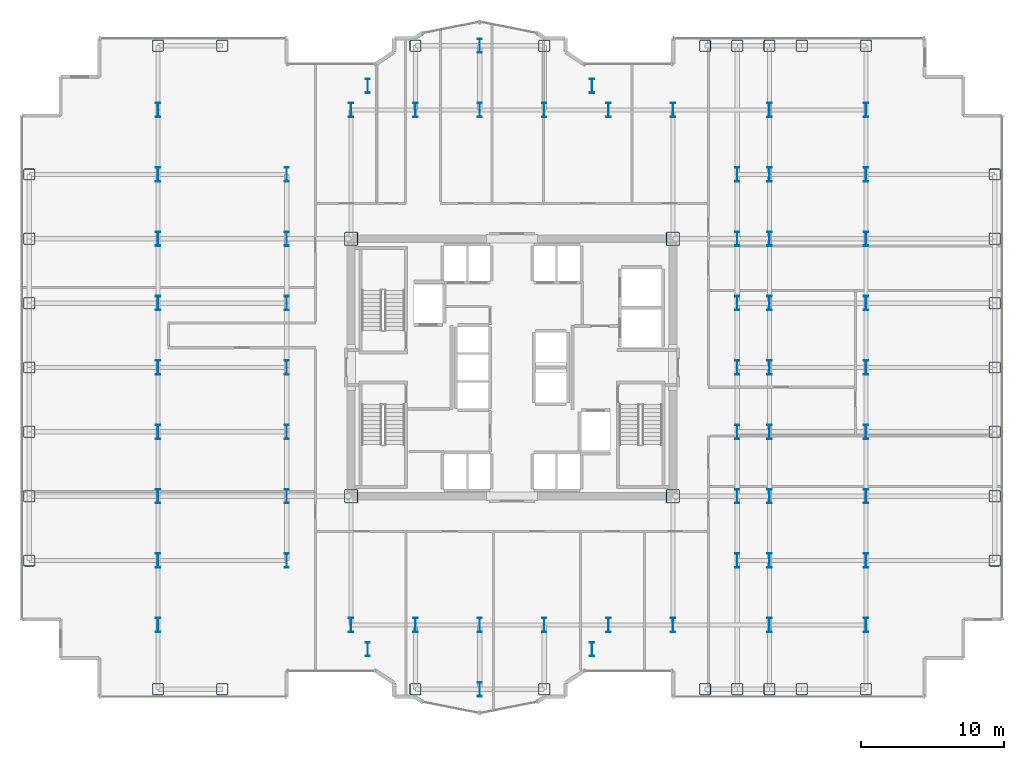
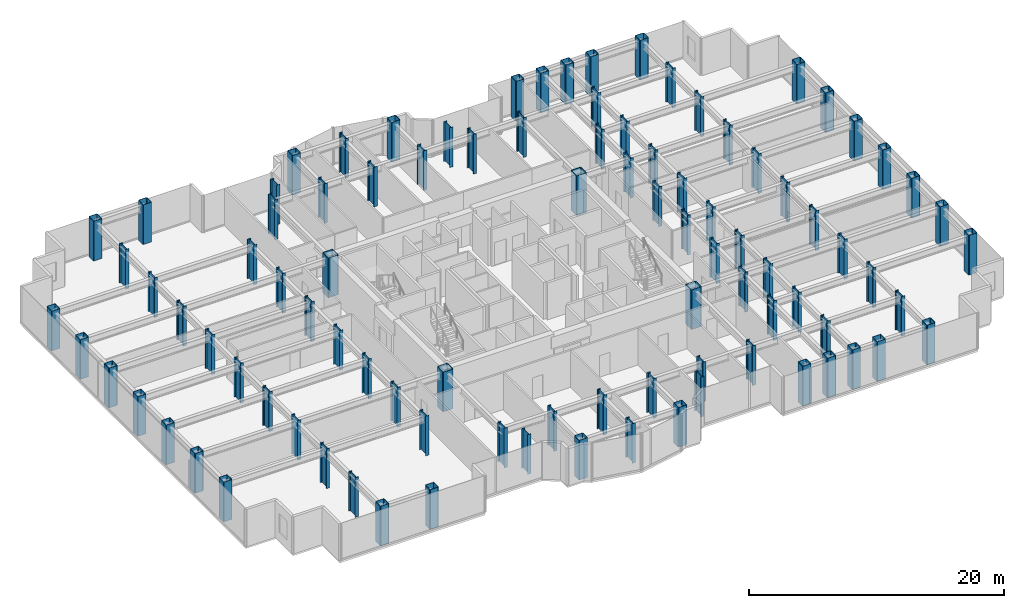
# One storey, part 1 of 26: 95 columns.
"""IFC4 building model written with IfcOpenShell, lengths in metres."""

from ifc_helpers import new_model, si_unit, direction, frame, origin, origin_2d, place, context, subcontext, project, spatial, hollow_rectangle, i_section, extrude, source, transform, mapped, material, material_profile, profile_set, type_object, element, save


model = new_model("IFC4")

# Units and contexts
model_context = context("Model", 3, precision=1e-05, world=origin(), true_north=direction((0.0, 1.0)))
body_context = subcontext(model_context, "Body", "Model", "MODEL_VIEW")
ifc_project = project(units=[si_unit("LENGTHUNIT", "METRE"), si_unit("AREAUNIT", "SQUARE_METRE"), si_unit("VOLUMEUNIT", "CUBIC_METRE"), si_unit("PLANEANGLEUNIT", "RADIAN"), si_unit("MASSUNIT", "GRAM", prefix="KILO")], contexts=[model_context])

# Site, building, storey
site_placement = place(None, origin())
site = spatial("IfcSite", under=ifc_project, at=site_placement, CompositionType="ELEMENT")
building_placement = place(site_placement, origin())
building = spatial("IfcBuilding", under=site, at=building_placement, Name="Nefas-Gora Pilgrimage Tower", CompositionType="ELEMENT")
storey_placement = place(building_placement, frame((0.0, 0.0, 132.60009765625)))
storey = spatial("IfcBuildingStorey", under=building, at=storey_placement, Name="L32", CompositionType="ELEMENT", Elevation=132.60009765625)

# Columns
ifc_material = material(Name="Steel S460", Category="steel")
ifc_material_profile_1 = material_profile(ifc_material, i_section(OverallWidth=0.302001953125, OverallDepth=1.008056640625, WebThickness=0.02099609375, FlangeThickness=0.0400390625, FilletRadius=0.030029296875, at=origin_2d()), Name="HEM 1000")
ifc_profile_set_1 = profile_set([ifc_material_profile_1], Name="Steel S460")
column_type_1 = type_object("IfcColumnType", Name="COL-WEB-HEM1000", PredefinedType="COLUMN", material=ifc_profile_set_1)
shared_shape_1 = source(origin(), body_context, "Body", "SweptSolid", [
    extrude(i_section(OverallWidth=0.302001953125, OverallDepth=1.008056640625, WebThickness=0.02099609375, FlangeThickness=0.0400390625, FilletRadius=0.030029296875, at=origin_2d()), origin(), (0.0, 0.0, 1.0), 3.7998046875),
])
for number, where, z_axis, x_axis, name in (
    (1, (-24.75, -18.0, 0.0), (0.0, 0.0, 1.0), (1.0, 0.0, 0.0), "L32 Tower Column CW-01.9"),
    (2, (-24.75, -13.5, 0.0), (0.0, 0.0, 1.0), (1.0, 0.0, 0.0), "L32 Tower Column CW-01.10"),
    (3, (-24.75, -9.0, 0.0), (0.0, 0.0, 1.0), (1.0, 0.0, 0.0), "L32 Tower Column CW-01.11"),
    (4, (-24.75, -4.5, 0.0), (0.0, 0.0, 1.0), (1.0, 0.0, 0.0), "L32 Tower Column CW-01.12"),
    (5, (-24.75, 0.0, 0.0), (0.0, 0.0, 1.0), (1.0, 0.0, 0.0), "L32 Tower Column CW-01.13"),
    (6, (-24.75, 4.5, 0.0), (0.0, 0.0, 1.0), (1.0, 0.0, 0.0), "L32 Tower Column CW-01.14"),
    (7, (-24.75, 9.0, 0.0), (0.0, 0.0, 1.0), (1.0, 0.0, 0.0), "L32 Tower Column CW-01.15"),
    (8, (-24.75, 13.5, 0.0), (0.0, 0.0, 1.0), (1.0, 0.0, 0.0), "L32 Tower Column CW-01.16"),
    (9, (-24.75, 18.0, 0.0), (0.0, 0.0, 1.0), (1.0, 0.0, 0.0), "L32 Tower Column CW-01.17"),
    (10, (-15.75, -13.5, 0.0), (0.0, 0.0, 1.0), (1.0, 0.0, 0.0), "L32 Tower Column CW-01.21"),
    (11, (-15.75, -9.0, 0.0), (0.0, 0.0, 1.0), (1.0, 0.0, 0.0), "L32 Tower Column CW-01.22"),
    (12, (-15.75, -4.5, 0.0), (0.0, 0.0, 1.0), (1.0, 0.0, 0.0), "L32 Tower Column CW-01.23"),
    (13, (-15.75, 0.0, 0.0), (0.0, 0.0, 1.0), (1.0, 0.0, 0.0), "L32 Tower Column CW-01.24"),
    (14, (-15.75, 4.5, 0.0), (0.0, 0.0, 1.0), (1.0, 0.0, 0.0), "L32 Tower Column CW-01.25"),
    (15, (-15.75, 9.0, 0.0), (0.0, 0.0, 1.0), (1.0, 0.0, 0.0), "L32 Tower Column CW-01.26"),
    (16, (-15.75, 13.5, 0.0), (0.0, 0.0, 1.0), (1.0, 0.0, 0.0), "L32 Tower Column CW-01.27"),
    (17, (-11.25, -18.0, 0.0), (0.0, 0.0, 1.0), (1.0, 0.0, 0.0), "L32 Tower Column CW-01.28"),
    (18, (-11.25, 18.0, 0.0), (0.0, 0.0, 1.0), (1.0, 0.0, 0.0), "L32 Tower Column CW-01.31"),
    (19, (-10.091064453125, -19.696044921875, 0.0), (0.0, 0.0, 1.0), (1.0, 0.0, 0.0), "L32 Tower Column CW-01.32"),
    (20, (-10.091064453125, 19.696044921875, 0.0), (0.0, 0.0, 1.0), (1.0, 0.0, 0.0), "L32 Tower Column CW-01.33"),
    (21, (-6.75, -18.0, 0.0), (0.0, 0.0, 1.0), (1.0, 0.0, 0.0), "L32 Tower Column CW-01.35"),
    (22, (-6.75, 18.0, 0.0), (0.0, 0.0, 1.0), (1.0, 0.0, 0.0), "L32 Tower Column CW-01.36"),
    (23, (-2.25, -22.5, 0.0), (0.0, 0.0, 1.0), (1.0, 0.0, 0.0), "L32 Tower Column CW-01.38"),
    (24, (-2.25, -18.0, 0.0), (0.0, 0.0, 1.0), (1.0, 0.0, 0.0), "L32 Tower Column CW-01.39"),
    (25, (-2.25, 18.0, 0.0), (0.0, 0.0, 1.0), (1.0, 0.0, 0.0), "L32 Tower Column CW-01.40"),
    (26, (-2.25, 22.5, 0.0), (0.0, 0.0, 1.0), (1.0, 0.0, 0.0), "L32 Tower Column CW-01.41"),
    (27, (2.25, -18.0, 0.0), (0.0, 0.0, 1.0), (1.0, 0.0, 0.0), "L32 Tower Column CW-01.43"),
    (28, (2.25, 18.0, 0.0), (0.0, 0.0, 1.0), (1.0, 0.0, 0.0), "L32 Tower Column CW-01.44"),
    (29, (5.591064453125, -19.696044921875, 0.0), (0.0, 0.0, 1.0), (1.0, 0.0, 0.0), "L32 Tower Column CW-01.46"),
    (30, (5.591064453125, 19.696044921875, 0.0), (0.0, 0.0, 1.0), (1.0, 0.0, 0.0), "L32 Tower Column CW-01.47"),
    (31, (6.75, -18.0, 0.0), (0.0, 0.0, 1.0), (1.0, 0.0, 0.0), "L32 Tower Column CW-01.48"),
    (32, (6.75, 18.0, 0.0), (0.0, 0.0, 1.0), (1.0, 0.0, 0.0), "L32 Tower Column CW-01.49"),
    (33, (11.25, -18.0, 0.0), (0.0, 0.0, 1.0), (1.0, 0.0, 0.0), "L32 Tower Column CW-01.50"),
    (34, (11.25, 18.0, 0.0), (0.0, 0.0, 1.0), (1.0, 0.0, 0.0), "L32 Tower Column CW-01.53"),
    (35, (15.75, -13.5, 0.0), (0.0, 0.0, 1.0), (1.0, 0.0, 0.0), "L32 Tower Column CW-01.57"),
    (36, (15.75, -9.0, 0.0), (0.0, 0.0, 1.0), (1.0, 0.0, 0.0), "L32 Tower Column CW-01.58"),
    (37, (15.75, -4.5, 0.0), (0.0, 0.0, 1.0), (1.0, 0.0, 0.0), "L32 Tower Column CW-01.59"),
    (38, (15.75, 0.0, 0.0), (0.0, 0.0, 1.0), (1.0, 0.0, 0.0), "L32 Tower Column CW-01.60"),
    (39, (15.75, 4.5, 0.0), (0.0, 0.0, 1.0), (1.0, 0.0, 0.0), "L32 Tower Column CW-01.61"),
    (40, (15.75, 9.0, 0.0), (0.0, 0.0, 1.0), (1.0, 0.0, 0.0), "L32 Tower Column CW-01.62"),
    (41, (15.75, 13.5, 0.0), (0.0, 0.0, 1.0), (1.0, 0.0, 0.0), "L32 Tower Column CW-01.63"),
    (42, (18.0, -18.0, 0.0), (0.0, 0.0, 1.0), (1.0, 0.0, 0.0), "L32 Tower Column CW-01.66"),
    (43, (18.0, -13.5, 0.0), (0.0, 0.0, 1.0), (1.0, 0.0, 0.0), "L32 Tower Column CW-01.67"),
    (44, (18.0, -9.0, 0.0), (0.0, 0.0, 1.0), (1.0, 0.0, 0.0), "L32 Tower Column CW-01.68"),
    (45, (18.0, -4.5, 0.0), (0.0, 0.0, 1.0), (1.0, 0.0, 0.0), "L32 Tower Column CW-01.69"),
    (46, (18.0, 0.0, 0.0), (0.0, 0.0, 1.0), (1.0, 0.0, 0.0), "L32 Tower Column CW-01.70"),
    (47, (18.0, 4.5, 0.0), (0.0, 0.0, 1.0), (1.0, 0.0, 0.0), "L32 Tower Column CW-01.71"),
    (48, (18.0, 9.0, 0.0), (0.0, 0.0, 1.0), (1.0, 0.0, 0.0), "L32 Tower Column CW-01.72"),
    (49, (18.0, 13.5, 0.0), (0.0, 0.0, 1.0), (1.0, 0.0, 0.0), "L32 Tower Column CW-01.73"),
    (50, (18.0, 18.0, 0.0), (0.0, 0.0, 1.0), (1.0, 0.0, 0.0), "L32 Tower Column CW-01.74"),
    (51, (24.75, -18.0, 0.0), (0.0, 0.0, 1.0), (1.0, 0.0, 0.0), "L32 Tower Column CW-01.79"),
    (52, (24.75, -13.5, 0.0), (0.0, 0.0, 1.0), (1.0, 0.0, 0.0), "L32 Tower Column CW-01.80"),
    (53, (24.75, -9.0, 0.0), (0.0, 0.0, 1.0), (1.0, 0.0, 0.0), "L32 Tower Column CW-01.81"),
    (54, (24.75, -4.5, 0.0), (0.0, 0.0, 1.0), (1.0, 0.0, 0.0), "L32 Tower Column CW-01.82"),
    (55, (24.75, 0.0, 0.0), (0.0, 0.0, 1.0), (1.0, 0.0, 0.0), "L32 Tower Column CW-01.83"),
    (56, (24.75, 4.5, 0.0), (0.0, 0.0, 1.0), (1.0, 0.0, 0.0), "L32 Tower Column CW-01.84"),
    (57, (24.75, 9.0, 0.0), (0.0, 0.0, 1.0), (1.0, 0.0, 0.0), "L32 Tower Column CW-01.85"),
    (58, (24.75, 13.5, 0.0), (0.0, 0.0, 1.0), (1.0, 0.0, 0.0), "L32 Tower Column CW-01.86"),
    (59, (24.75, 18.0, 0.0), (0.0, 0.0, 1.0), (1.0, 0.0, 0.0), "L32 Tower Column CW-01.87"),
):
    element("IfcColumn", number, at=place(storey_placement, frame(where, z_axis=z_axis, x_axis=x_axis)), inside=storey, type_object=column_type_1, Name=name, PredefinedType="COLUMN", context=body_context, shape_type="MappedRepresentation", body=[
        mapped(shared_shape_1, transform((0.0, 0.0, 0.0), x_axis=(1.0, 0.0, 0.0), y_axis=(0.0, 1.0, 0.0), z_axis=(0.0, 0.0, 1.0), scale=1.0)),
    ])
ifc_material_profile_2 = material_profile(ifc_material, hollow_rectangle(XDim=0.949951171875, YDim=0.949951171875, WallThickness=0.044921875, InnerFilletRadius=0.044921875, OuterFilletRadius=0.090087890625, at=origin_2d()), Name="BOX 950x950x45")
ifc_profile_set_2 = profile_set([ifc_material_profile_2], Name="Steel S460")
column_type_2 = type_object("IfcColumnType", Name="COL-CORE-950", PredefinedType="COLUMN", material=ifc_profile_set_2)
shared_shape_2 = source(origin(), body_context, "Body", "SweptSolid", [
    extrude(hollow_rectangle(XDim=0.949951171875, YDim=0.949951171875, WallThickness=0.044921875, InnerFilletRadius=0.044921875, OuterFilletRadius=0.090087890625, at=origin_2d()), origin(), (0.0, 0.0, 1.0), 3.7998046875),
])
for number, where, z_axis, x_axis, name in (
    (60, (-11.25, -9.0, 0.0), (0.0, 0.0, 1.0), (1.0, 0.0, 0.0), "L32 Tower Column CC-Z1.29"),
    (61, (-11.25, 9.0, 0.0), (0.0, 0.0, 1.0), (1.0, 0.0, 0.0), "L32 Tower Column CC-Z1.30"),
    (62, (11.25, -9.0, 0.0), (0.0, 0.0, 1.0), (1.0, 0.0, 0.0), "L32 Tower Column CC-Z1.51"),
    (63, (11.25, 9.0, 0.0), (0.0, 0.0, 1.0), (1.0, 0.0, 0.0), "L32 Tower Column CC-Z1.52"),
):
    element("IfcColumn", number, at=place(storey_placement, frame(where, z_axis=z_axis, x_axis=x_axis)), inside=storey, type_object=column_type_2, Name=name, PredefinedType="COLUMN", context=body_context, shape_type="MappedRepresentation", body=[
        mapped(shared_shape_2, transform((0.0, 0.0, 0.0), x_axis=(1.0, 0.0, 0.0), y_axis=(0.0, 1.0, 0.0), z_axis=(0.0, 0.0, 1.0), scale=1.0)),
    ])
ifc_material_profile_3 = material_profile(ifc_material, hollow_rectangle(XDim=0.800048828125, YDim=0.800048828125, WallThickness=0.0400390625, InnerFilletRadius=0.0400390625, OuterFilletRadius=0.080078125, at=origin_2d()), Name="BOX 800x800x40")
ifc_profile_set_3 = profile_set([ifc_material_profile_3], Name="Steel S460")
column_type_3 = type_object("IfcColumnType", Name="COL-TUBE-800", PredefinedType="COLUMN", material=ifc_profile_set_3)
shared_shape_3 = source(origin(), body_context, "Body", "SweptSolid", [
    extrude(hollow_rectangle(XDim=0.800048828125, YDim=0.800048828125, WallThickness=0.0400390625, InnerFilletRadius=0.0400390625, OuterFilletRadius=0.080078125, at=origin_2d()), origin(), (0.0, 0.0, 1.0), 3.7998046875),
])
for number, where, z_axis, x_axis, name in (
    (64, (-33.75, -13.5, 0.0), (0.0, 0.0, 1.0), (1.0, 0.0, 0.0), "L32 Tower Column C-Z2.1"),
    (65, (-33.75, -9.0, 0.0), (0.0, 0.0, 1.0), (1.0, 0.0, 0.0), "L32 Tower Column C-Z2.2"),
    (66, (-33.75, -4.5, 0.0), (0.0, 0.0, 1.0), (1.0, 0.0, 0.0), "L32 Tower Column C-Z2.3"),
    (67, (-33.75, 0.0, 0.0), (0.0, 0.0, 1.0), (1.0, 0.0, 0.0), "L32 Tower Column C-Z2.4"),
    (68, (-33.75, 4.5, 0.0), (0.0, 0.0, 1.0), (1.0, 0.0, 0.0), "L32 Tower Column C-Z2.5"),
    (69, (-33.75, 9.0, 0.0), (0.0, 0.0, 1.0), (1.0, 0.0, 0.0), "L32 Tower Column C-Z2.6"),
    (70, (-33.75, 13.5, 0.0), (0.0, 0.0, 1.0), (1.0, 0.0, 0.0), "L32 Tower Column C-Z2.7"),
    (71, (-24.75, -22.5, 0.0), (0.0, 0.0, 1.0), (1.0, 0.0, 0.0), "L32 Tower Column C-Z2.8"),
    (72, (-24.75, 22.5, 0.0), (0.0, 0.0, 1.0), (1.0, 0.0, 0.0), "L32 Tower Column C-Z2.18"),
    (73, (-20.25, -22.5, 0.0), (0.0, 0.0, 1.0), (1.0, 0.0, 0.0), "L32 Tower Column C-Z2.19"),
    (74, (-20.25, 22.5, 0.0), (0.0, 0.0, 1.0), (1.0, 0.0, 0.0), "L32 Tower Column C-Z2.20"),
    (75, (-6.75, -22.5, 0.0), (0.0, 0.0, 1.0), (1.0, 0.0, 0.0), "L32 Tower Column C-Z2.34"),
    (76, (-6.75, 22.5, 0.0), (0.0, 0.0, 1.0), (1.0, 0.0, 0.0), "L32 Tower Column C-Z2.37"),
    (77, (2.25, -22.5, 0.0), (0.0, 0.0, 1.0), (1.0, 0.0, 0.0), "L32 Tower Column C-Z2.42"),
    (78, (2.25, 22.5, 0.0), (0.0, 0.0, 1.0), (1.0, 0.0, 0.0), "L32 Tower Column C-Z2.45"),
    (79, (13.5, -22.5, 0.0), (0.0, 0.0, 1.0), (1.0, 0.0, 0.0), "L32 Tower Column C-Z2.54"),
    (80, (13.5, 22.5, 0.0), (0.0, 0.0, 1.0), (1.0, 0.0, 0.0), "L32 Tower Column C-Z2.55"),
    (81, (15.75, -22.5, 0.0), (0.0, 0.0, 1.0), (1.0, 0.0, 0.0), "L32 Tower Column C-Z2.56"),
    (82, (15.75, 22.5, 0.0), (0.0, 0.0, 1.0), (1.0, 0.0, 0.0), "L32 Tower Column C-Z2.64"),
    (83, (18.0, -22.5, 0.0), (0.0, 0.0, 1.0), (1.0, 0.0, 0.0), "L32 Tower Column C-Z2.65"),
    (84, (18.0, 22.5, 0.0), (0.0, 0.0, 1.0), (1.0, 0.0, 0.0), "L32 Tower Column C-Z2.75"),
    (85, (20.25, -22.5, 0.0), (0.0, 0.0, 1.0), (1.0, 0.0, 0.0), "L32 Tower Column C-Z2.76"),
    (86, (20.25, 22.5, 0.0), (0.0, 0.0, 1.0), (1.0, 0.0, 0.0), "L32 Tower Column C-Z2.77"),
    (87, (24.75, -22.5, 0.0), (0.0, 0.0, 1.0), (1.0, 0.0, 0.0), "L32 Tower Column C-Z2.78"),
    (88, (24.75, 22.5, 0.0), (0.0, 0.0, 1.0), (1.0, 0.0, 0.0), "L32 Tower Column C-Z2.88"),
    (89, (33.75, -13.5, 0.0), (0.0, 0.0, 1.0), (1.0, 0.0, 0.0), "L32 Tower Column C-Z2.89"),
    (90, (33.75, -9.0, 0.0), (0.0, 0.0, 1.0), (1.0, 0.0, 0.0), "L32 Tower Column C-Z2.90"),
    (91, (33.75, -4.5, 0.0), (0.0, 0.0, 1.0), (1.0, 0.0, 0.0), "L32 Tower Column C-Z2.91"),
    (92, (33.75, 0.0, 0.0), (0.0, 0.0, 1.0), (1.0, 0.0, 0.0), "L32 Tower Column C-Z2.92"),
    (93, (33.75, 4.5, 0.0), (0.0, 0.0, 1.0), (1.0, 0.0, 0.0), "L32 Tower Column C-Z2.93"),
    (94, (33.75, 9.0, 0.0), (0.0, 0.0, 1.0), (1.0, 0.0, 0.0), "L32 Tower Column C-Z2.94"),
    (95, (33.75, 13.5, 0.0), (0.0, 0.0, 1.0), (1.0, 0.0, 0.0), "L32 Tower Column C-Z2.95"),
):
    element("IfcColumn", number, at=place(storey_placement, frame(where, z_axis=z_axis, x_axis=x_axis)), inside=storey, type_object=column_type_3, Name=name, PredefinedType="COLUMN", context=body_context, shape_type="MappedRepresentation", body=[
        mapped(shared_shape_3, transform((0.0, 0.0, 0.0), x_axis=(1.0, 0.0, 0.0), y_axis=(0.0, 1.0, 0.0), z_axis=(0.0, 0.0, 1.0), scale=1.0)),
    ])

save(model, "model.ifc")
